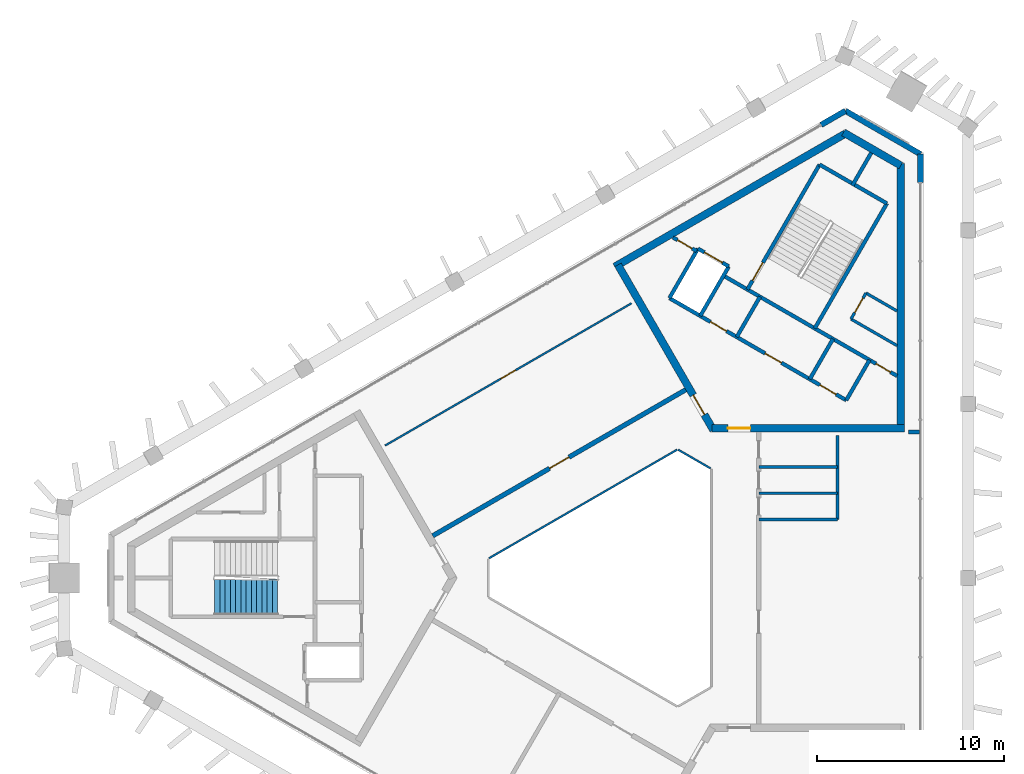
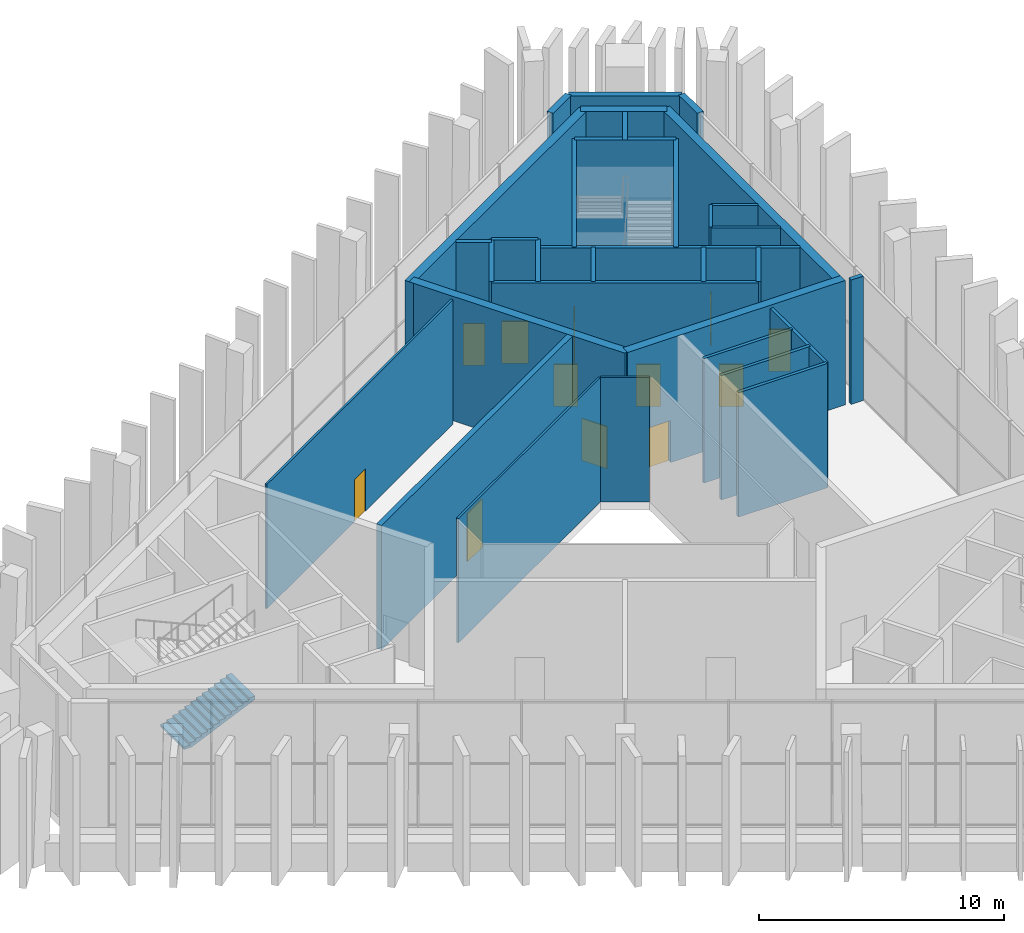
# One storey, part 10 of 13: 33 walls, 12 doors, 1 stair flight, 12 openings, 1 element without a shape of its own.
"""IFC4 building model written with IfcOpenShell, lengths in metres."""

from ifc_helpers import new_model, si_unit, direction, frame, frame_2d, origin, place, context, subcontext, project, spatial, polyline, rectangle, outline, extrude, material, layer, layer_set, type_object, element, fill, aggregate, save


model = new_model("IFC4")

# Units and contexts
model_context = context("Model", 3, precision=1e-05, world=origin(), true_north=direction((0.0, 1.0)))
body_context = subcontext(model_context, "Body", "Model", "MODEL_VIEW")
ifc_project = project(units=[si_unit("LENGTHUNIT", "METRE"), si_unit("AREAUNIT", "SQUARE_METRE"), si_unit("VOLUMEUNIT", "CUBIC_METRE"), si_unit("PLANEANGLEUNIT", "RADIAN"), si_unit("MASSUNIT", "GRAM", prefix="KILO")], contexts=[model_context])

# Site, building, storey
site_placement = place(None, origin())
site = spatial("IfcSite", under=ifc_project, at=site_placement, CompositionType="ELEMENT")
building_placement = place(site_placement, origin())
building = spatial("IfcBuilding", under=site, at=building_placement, Name="Jabali Bay Hotel Tower and Convention Centre", CompositionType="ELEMENT")
storey_placement = place(building_placement, frame((0.0, 0.0, 315.800048828125)))
storey = spatial("IfcBuildingStorey", under=building, at=storey_placement, Name="L77", CompositionType="ELEMENT", Elevation=315.800048828125)

# Walls
ifc_material_1 = material(Name="Fire-resistant glazing", Category="glass")
ifc_layer_1 = layer(ifc_material_1, 0.10009765625)
ifc_layer_set_1 = layer_set([ifc_layer_1], Name="Fire-resistant glazing")
wall_type_1 = type_object("IfcWallType", Name="Atrium glazed screen 100", PredefinedType="PARTITIONING", material=ifc_layer_set_1)
wall_1_placement = place(storey_placement, frame((79.530029296875, 85.84619140625, 0.0), z_axis=(0.0, 0.0, 1.0), x_axis=(-0.866041268327, 0.499972520799, 0.0)))
element("IfcWall", 1, at=wall_1_placement, inside=storey, type_object=wall_type_1, Name="Atrium screen 2 L77", PredefinedType="PARTITIONING", context=body_context, shape_type="SweptSolid", body=[
    extrude(rectangle(XDim=2.0, YDim=0.10009765625, at=frame_2d((1.0, 0.0))), origin(), (0.0, 0.0, 1.0), 6.199951171875),
])
wall_2_placement = place(storey_placement, frame((77.738037109375, 86.84619140625, 0.0), z_axis=(0.0, 0.0, 1.0), x_axis=(-0.866026658274, -0.499997827154, 0.0)))
element("IfcWall", 2, at=wall_2_placement, inside=storey, type_object=wall_type_1, Name="Atrium screen 3 L77", PredefinedType="PARTITIONING", context=body_context, shape_type="SweptSolid", body=[
    extrude(rectangle(XDim=11.58837890625, YDim=0.10009765625, at=frame_2d((5.794189453125, 0.0))), origin(), (0.0, 0.0, 1.0), 6.199951171875),
])
ifc_material_2 = material(Name="Concrete C40", Category="concrete")
ifc_layer_2 = layer(ifc_material_2, 0.199951171875)
ifc_layer_set_2 = layer_set([ifc_layer_2], Name="Concrete C40")
wall_type_2 = type_object("IfcWallType", Name="Core partition wall 200", PredefinedType="PARTITIONING", material=ifc_layer_set_2)
wall_3_placement = place(storey_placement, frame((87.090087890625, 100.9404296875, 0.0), z_axis=(0.0, 0.0, 1.0), x_axis=(0.499941815747, 0.866058993873, 0.0)))
element("IfcWall", 3, at=wall_3_placement, inside=storey, type_object=wall_type_2, Name="Core wall 1.4 L77", PredefinedType="PARTITIONING", context=body_context, shape_type="SweptSolid", body=[
    extrude(rectangle(XDim=2.023193359375, YDim=0.199951171875, at=frame_2d((1.01171875, 0.0))), origin(), (0.0, 0.0, 1.0), 6.199951171875),
])

# Wall, opening, door
wall_4_placement = place(storey_placement, frame((78.7802734375, 97.447509765625, 0.0), z_axis=(0.0, 0.0, 1.0), x_axis=(-0.866045896294, 0.499964504253, 0.0)))
wall_4 = element("IfcWall", 4, at=wall_4_placement, inside=storey, type_object=wall_type_2, Name="Core wall 1.11 L77", PredefinedType="PARTITIONING", context=body_context, shape_type="SweptSolid", body=[
    extrude(rectangle(XDim=1.455078125, YDim=0.199951171875, at=frame_2d((0.7275390625, 0.0))), origin(), (0.0, 0.0, 1.0), 6.199951171875),
])
opening_1_placement = place(wall_4_placement, frame((0.277587890625, 0.0, 0.0)))
opening_1 = element("IfcOpeningElement", 5, at=opening_1_placement, cuts=wall_4, Name="Opening D1724", PredefinedType="OPENING", context=body_context, shape_type="SweptSolid", body=[
    extrude(rectangle(XDim=0.89990234375, YDim=2.10009765625, at=frame_2d((0.449951171875, 1.050048828125))), frame((0.0, 0.1103515625, 0.0), z_axis=(0.0, -1.0, 0.0), x_axis=(1.0, 0.0, 0.0)), (0.0, 0.0, 1.0), 0.220947265625),
])
ifc_material_3 = material(Name="Fire-rated steel door", Category="steel")
door_type_1 = type_object("IfcDoorType", Name="Vestibule fire door 900 x 2100", OperationType="NOTDEFINED", PredefinedType="NOTDEFINED", material=ifc_material_3)
door_1_placement = place(opening_1_placement, origin())
door_1 = element("IfcDoor", 6, at=door_1_placement, inside=storey, type_object=door_type_1, Name="Vestibule fire door D1724", OperationType="SINGLE_SWING_LEFT", OverallHeight=2.10009765625, OverallWidth=0.89990234375, PredefinedType="NOTDEFINED", context=body_context, shape_type="SweptSolid", body=[
    extrude(rectangle(XDim=0.89990234375, YDim=2.10009765625, at=frame_2d((0.449951171875, 1.050048828125))), frame((0.0, 0.02490234375, 0.0), z_axis=(0.0, -1.0, 0.0), x_axis=(1.0, 0.0, 0.0)), (0.0, 0.0, 1.0), 0.050048828125),
])
fill(opening_1, door_1)

ifc_material_4 = material(Name="Fire-rated board partition")
ifc_layer_3 = layer(ifc_material_4, 0.14990234375)
ifc_layer_set_3 = layer_set([ifc_layer_3], Name="Fire-rated board partition")
wall_type_3 = type_object("IfcWallType", Name="Core room partition 150", PredefinedType="PARTITIONING", material=ifc_layer_set_3)
wall_5_placement = place(storey_placement, frame((87.02099609375, 93.821044921875, 0.0), z_axis=(0.0, 0.0, 1.0), x_axis=(0.499995408039, 0.866028054938, 0.0)))
wall_5 = element("IfcWall", 7, at=wall_5_placement, inside=storey, type_object=wall_type_3, Name="Core wall 1.1 L77", PredefinedType="PARTITIONING", context=body_context, shape_type="SweptSolid", body=[
    extrude(rectangle(XDim=1.60009765625, YDim=0.14990234375, at=frame_2d((0.800048828125, 0.0))), origin(), (0.0, 0.0, 1.0), 6.199951171875),
])
opening_2_placement = place(wall_5_placement, frame((0.387451171875, 0.0, 0.0)))
opening_2 = element("IfcOpeningElement", 8, at=opening_2_placement, cuts=wall_5, Name="Opening D1727", PredefinedType="OPENING", context=body_context, shape_type="SweptSolid", body=[
    extrude(rectangle(XDim=0.89990234375, YDim=2.10009765625, at=frame_2d((0.449951171875, 1.050048828125))), frame((0.0, 0.08544921875, 0.0), z_axis=(0.0, -1.0, 0.0), x_axis=(1.0, 0.0, 0.0)), (0.0, 0.0, 1.0), 0.1708984375),
])
door_type_2 = type_object("IfcDoorType", Name="Core room door 900 x 2100", OperationType="NOTDEFINED", PredefinedType="NOTDEFINED", material=ifc_material_3)
door_2_placement = place(opening_2_placement, origin())
door_2 = element("IfcDoor", 9, at=door_2_placement, inside=storey, type_object=door_type_2, Name="Core room door D1727", OperationType="SINGLE_SWING_LEFT", OverallHeight=2.10009765625, OverallWidth=0.89990234375, PredefinedType="NOTDEFINED", context=body_context, shape_type="SweptSolid", body=[
    extrude(rectangle(XDim=0.89990234375, YDim=2.10009765625, at=frame_2d((0.449951171875, 1.050048828125))), frame((0.0, 0.02490234375, 0.0), z_axis=(0.0, -1.0, 0.0), x_axis=(1.0, 0.0, 0.0)), (0.0, 0.0, 1.0), 0.050048828125),
])
fill(opening_2, door_2)

# Walls
wall_6_placement = place(storey_placement, frame((89.47998046875, 92.4013671875, 0.0), z_axis=(0.0, 0.0, 1.0), x_axis=(-0.866028081176, 0.499995362593, 0.0)))
element("IfcWall", 10, at=wall_6_placement, inside=storey, type_object=wall_type_3, Name="Core wall 1.13 L77", PredefinedType="PARTITIONING", context=body_context, shape_type="SweptSolid", body=[
    extrude(rectangle(XDim=2.83935546875, YDim=0.14990234375, at=frame_2d((1.419677734375, 0.0))), origin(), (0.0, 0.0, 1.0), 6.199951171875),
])
wall_7_placement = place(storey_placement, frame((89.47998046875, 94.2490234375, 0.0), z_axis=(0.0, 0.0, 1.0), x_axis=(-0.866030650962, 0.499990911512, 0.0)))
element("IfcWall", 11, at=wall_7_placement, inside=storey, type_object=wall_type_3, Name="Core wall 1.14 L77", PredefinedType="PARTITIONING", context=body_context, shape_type="SweptSolid", body=[
    extrude(rectangle(XDim=1.91552734375, YDim=0.14990234375, at=frame_2d((0.957763671875, 0.0))), origin(), (0.0, 0.0, 1.0), 6.199951171875),
])
ifc_layer_4 = layer(ifc_material_2, 0.199951171875)
ifc_layer_set_4 = layer_set([ifc_layer_4], Name="Concrete C40")
wall_type_4 = type_object("IfcWallType", Name="Core stair wall 200", PredefinedType="SOLIDWALL", material=ifc_layer_set_4)
for number, where, z_axis, x_axis, name in (
    (12, (86.769775390625, 89.48583984375, 0.0), (0.0, 0.0, 1.0), (0.499961042966, 0.86604789447, 0.0), "Core wall 1.0 L77"),
    (13, (84.8212890625, 90.61083984375, 0.0), (0.0, 0.0, 1.0), (0.499961042966, 0.86604789447, 0.0), "Core wall 1.2 L77"),
):
    element("IfcWall", number, at=place(storey_placement, frame(where, z_axis=z_axis, x_axis=x_axis)), inside=storey, type_object=wall_type_4, Name=name, PredefinedType="SOLIDWALL", context=body_context, shape_type="SweptSolid", body=[
        extrude(rectangle(XDim=2.480224609375, YDim=0.199951171875, at=frame_2d((1.240234375, 0.0))), origin(), (0.0, 0.0, 1.0), 6.199951171875),
    ])
wall_8_placement = place(storey_placement, frame((85.0869140625, 93.3212890625, 0.0), z_axis=(0.0, 0.0, 1.0), x_axis=(0.500019787375, 0.866013979237, 0.0)))
element("IfcWall", 14, at=wall_8_placement, inside=storey, type_object=wall_type_4, Name="Core wall 1.3 L77", PredefinedType="SOLIDWALL", context=body_context, shape_type="SweptSolid", body=[
    extrude(rectangle(XDim=7.699951171875, YDim=0.199951171875, at=frame_2d((3.85009765625, 0.0))), origin(), (0.0, 0.0, 1.0), 6.199951171875),
])
wall_9_placement = place(storey_placement, frame((80.924072265625, 92.86083984375, 0.0), z_axis=(0.0, 0.0, 1.0), x_axis=(0.499961042966, 0.86604789447, 0.0)))
element("IfcWall", 15, at=wall_9_placement, inside=storey, type_object=wall_type_4, Name="Core wall 1.5 L77", PredefinedType="SOLIDWALL", context=body_context, shape_type="SweptSolid", body=[
    extrude(rectangle(XDim=2.480224609375, YDim=0.199951171875, at=frame_2d((1.240234375, 0.0))), origin(), (0.0, 0.0, 1.0), 6.199951171875),
])

# Wall, opening, door
wall_10_placement = place(storey_placement, frame((81.492919921875, 95.396240234375, 0.0), z_axis=(0.0, 0.0, 1.0), x_axis=(0.500006057782, 0.866021906294, 0.0)))
wall_10 = element("IfcWall", 16, at=wall_10_placement, inside=storey, type_object=wall_type_4, Name="Core wall 1.6 L77", PredefinedType="SOLIDWALL", context=body_context, shape_type="SweptSolid", body=[
    extrude(rectangle(XDim=7.7001953125, YDim=0.199951171875, at=frame_2d((3.85009765625, 0.0))), origin(), (0.0, 0.0, 1.0), 6.199951171875),
])
opening_3_placement = place(wall_10_placement, frame((0.550048828125, 0.0, 0.0)))
opening_3 = element("IfcOpeningElement", 17, at=opening_3_placement, cuts=wall_10, Name="Opening D1726", PredefinedType="OPENING", context=body_context, shape_type="SweptSolid", body=[
    extrude(rectangle(XDim=1.10009765625, YDim=2.10009765625, at=frame_2d((0.550048828125, 1.050048828125))), frame((0.0, 0.1103515625, 0.0), z_axis=(0.0, -1.0, 0.0), x_axis=(1.0, 0.0, 0.0)), (0.0, 0.0, 1.0), 0.220947265625),
])
door_type_3 = type_object("IfcDoorType", Name="Stair fire door 1100 x 2100", OperationType="NOTDEFINED", PredefinedType="NOTDEFINED", material=ifc_material_3)
door_3_placement = place(opening_3_placement, origin())
door_3 = element("IfcDoor", 18, at=door_3_placement, inside=storey, type_object=door_type_3, Name="Stair fire door D1726", OperationType="SINGLE_SWING_RIGHT", OverallHeight=2.10009765625, OverallWidth=1.10009765625, PredefinedType="NOTDEFINED", context=body_context, shape_type="SweptSolid", body=[
    extrude(rectangle(XDim=1.10009765625, YDim=2.10009765625, at=frame_2d((0.550048828125, 1.050048828125))), frame((0.0, 0.02490234375, 0.0), z_axis=(0.0, -1.0, 0.0), x_axis=(1.0, 0.0, 0.0)), (0.0, 0.0, 1.0), 0.050048828125),
])
fill(opening_3, door_3)

# Walls
for number, where, z_axis, x_axis, name in (
    (19, (78.9755859375, 93.98583984375, 0.0), (0.0, 0.0, 1.0), (0.499944174705, 0.866057632134, 0.0), "Core wall 1.7 L77"),
    (20, (77.330078125, 94.93603515625, 0.0), (0.0, 0.0, 1.0), (0.500038867431, 0.8660029625, 0.0), "Core wall 1.8 L77"),
):
    element("IfcWall", number, at=place(storey_placement, frame(where, z_axis=z_axis, x_axis=x_axis)), inside=storey, type_object=wall_type_4, Name=name, PredefinedType="SOLIDWALL", context=body_context, shape_type="SweptSolid", body=[
        extrude(rectangle(XDim=3.050048828125, YDim=0.199951171875, at=frame_2d((1.52490234375, 0.0))), origin(), (0.0, 0.0, 1.0), 6.199951171875),
    ])

# Wall, openings, doors
wall_11_placement = place(storey_placement, frame((86.769775390625, 89.48583984375, 0.0), z_axis=(0.0, 0.0, 1.0), x_axis=(-0.86601811187, 0.500012629753, 0.0)))
wall_11 = element("IfcWall", 21, at=wall_11_placement, inside=storey, type_object=wall_type_4, Name="Core wall 1.9 L77", PredefinedType="SOLIDWALL", context=body_context, shape_type="SweptSolid", body=[
    extrude(rectangle(XDim=10.900146484375, YDim=0.199951171875, at=frame_2d((5.4501953125, 0.0))), origin(), (0.0, 0.0, 1.0), 6.199951171875),
])
opening_4_placement = place(wall_11_placement, frame((0.625, 0.0, 0.0)))
opening_4 = element("IfcOpeningElement", 22, at=opening_4_placement, cuts=wall_11, Name="Opening D1721", PredefinedType="OPENING", context=body_context, shape_type="SweptSolid", body=[
    extrude(rectangle(XDim=1.0, YDim=2.10009765625, at=frame_2d((0.5, 1.050048828125))), frame((0.0, 0.1103515625, 0.0), z_axis=(0.0, -1.0, 0.0), x_axis=(1.0, 0.0, 0.0)), (0.0, 0.0, 1.0), 0.220947265625),
])
opening_5_placement = place(wall_11_placement, frame((4.0, 0.0, 0.0)))
opening_5 = element("IfcOpeningElement", 23, at=opening_5_placement, cuts=wall_11, Name="Opening D1722", PredefinedType="OPENING", context=body_context, shape_type="SweptSolid", body=[
    extrude(rectangle(XDim=1.0, YDim=2.10009765625, at=frame_2d((0.5, 1.050048828125))), frame((0.0, 0.1103515625, 0.0), z_axis=(0.0, -1.0, 0.0), x_axis=(1.0, 0.0, 0.0)), (0.0, 0.0, 1.0), 0.220947265625),
])
opening_6_placement = place(wall_11_placement, frame((7.375, 0.0, 0.0)))
opening_6 = element("IfcOpeningElement", 24, at=opening_6_placement, cuts=wall_11, Name="Opening D1723", PredefinedType="OPENING", context=body_context, shape_type="SweptSolid", body=[
    extrude(rectangle(XDim=1.0, YDim=2.10009765625, at=frame_2d((0.5, 1.050048828125))), frame((0.0, 0.1103515625, 0.0), z_axis=(0.0, -1.0, 0.0), x_axis=(1.0, 0.0, 0.0)), (0.0, 0.0, 1.0), 0.220947265625),
])
door_type_4 = type_object("IfcDoorType", Name="Core room door 1000 x 2100", OperationType="NOTDEFINED", PredefinedType="NOTDEFINED", material=ifc_material_3)
door_4_placement = place(opening_4_placement, origin())
door_4 = element("IfcDoor", 25, at=door_4_placement, inside=storey, type_object=door_type_4, Name="Core room door D1721", OperationType="SINGLE_SWING_RIGHT", OverallHeight=2.10009765625, OverallWidth=1.0, PredefinedType="NOTDEFINED", context=body_context, shape_type="SweptSolid", body=[
    extrude(rectangle(XDim=1.0, YDim=2.10009765625, at=frame_2d((0.5, 1.050048828125))), frame((0.0, 0.02490234375, 0.0), z_axis=(0.0, -1.0, 0.0), x_axis=(1.0, 0.0, 0.0)), (0.0, 0.0, 1.0), 0.050048828125),
])
fill(opening_4, door_4)
door_5_placement = place(opening_5_placement, origin())
door_5 = element("IfcDoor", 26, at=door_5_placement, inside=storey, type_object=door_type_4, Name="Core room door D1722", OperationType="SINGLE_SWING_RIGHT", OverallHeight=2.10009765625, OverallWidth=1.0, PredefinedType="NOTDEFINED", context=body_context, shape_type="SweptSolid", body=[
    extrude(rectangle(XDim=1.0, YDim=2.10009765625, at=frame_2d((0.5, 1.050048828125))), frame((0.0, 0.02490234375, 0.0), z_axis=(0.0, -1.0, 0.0), x_axis=(1.0, 0.0, 0.0)), (0.0, 0.0, 1.0), 0.050048828125),
])
fill(opening_5, door_5)
door_6_placement = place(opening_6_placement, origin())
door_6 = element("IfcDoor", 27, at=door_6_placement, inside=storey, type_object=door_type_4, Name="Core room door D1723", OperationType="SINGLE_SWING_RIGHT", OverallHeight=2.10009765625, OverallWidth=1.0, PredefinedType="NOTDEFINED", context=body_context, shape_type="SweptSolid", body=[
    extrude(rectangle(XDim=1.0, YDim=2.10009765625, at=frame_2d((0.5, 1.050048828125))), frame((0.0, 0.02490234375, 0.0), z_axis=(0.0, -1.0, 0.0), x_axis=(1.0, 0.0, 0.0)), (0.0, 0.0, 1.0), 0.050048828125),
])
fill(opening_6, door_6)

# Wall, opening, door
wall_12_placement = place(storey_placement, frame((89.47998046875, 90.784912109375, 0.0), z_axis=(0.0, 0.0, 1.0), x_axis=(-0.866022544512, 0.500004952373, 0.0)))
wall_12 = element("IfcWall", 28, at=wall_12_placement, inside=storey, type_object=wall_type_4, Name="Core wall 1.10 L77", PredefinedType="SOLIDWALL", context=body_context, shape_type="SweptSolid", body=[
    extrude(rectangle(XDim=10.69775390625, YDim=0.199951171875, at=frame_2d((5.348876953125, 0.0))), origin(), (0.0, 0.0, 1.0), 6.199951171875),
])
opening_7_placement = place(wall_12_placement, frame((0.398681640625, 0.0, 0.0)))
opening_7 = element("IfcOpeningElement", 29, at=opening_7_placement, cuts=wall_12, Name="Opening D1725", PredefinedType="OPENING", context=body_context, shape_type="SweptSolid", body=[
    extrude(rectangle(XDim=0.89990234375, YDim=2.10009765625, at=frame_2d((0.449951171875, 1.050048828125))), frame((0.0, 0.1103515625, 0.0), z_axis=(0.0, -1.0, 0.0), x_axis=(1.0, 0.0, 0.0)), (0.0, 0.0, 1.0), 0.220947265625),
])
door_7_placement = place(opening_7_placement, origin())
door_7 = element("IfcDoor", 30, at=door_7_placement, inside=storey, type_object=door_type_1, Name="Vestibule fire door D1725", OperationType="SINGLE_SWING_LEFT", OverallHeight=2.10009765625, OverallWidth=0.89990234375, PredefinedType="NOTDEFINED", context=body_context, shape_type="SweptSolid", body=[
    extrude(rectangle(XDim=0.89990234375, YDim=2.10009765625, at=frame_2d((0.449951171875, 1.050048828125))), frame((0.0, 0.02490234375, 0.0), z_axis=(0.0, -1.0, 0.0), x_axis=(1.0, 0.0, 0.0)), (0.0, 0.0, 1.0), 0.050048828125),
])
fill(opening_7, door_7)

wall_13_placement = place(storey_placement, frame((80.50048828125, 96.62744140625, 0.0), z_axis=(0.0, 0.0, 1.0), x_axis=(-0.86601224135, 0.500022797313, 0.0)))
wall_13 = element("IfcWall", 31, at=wall_13_placement, inside=storey, type_object=wall_type_4, Name="Core wall 1.12 L77", PredefinedType="SOLIDWALL", context=body_context, shape_type="SweptSolid", body=[
    extrude(rectangle(XDim=1.89990234375, YDim=0.199951171875, at=frame_2d((0.949951171875, 0.0))), origin(), (0.0, 0.0, 1.0), 6.199951171875),
])
opening_8_placement = place(wall_13_placement, frame((0.39990234375, 0.0, 0.0)))
opening_8 = element("IfcOpeningElement", 32, at=opening_8_placement, cuts=wall_13, Name="Opening LD10-L77", PredefinedType="OPENING", context=body_context, shape_type="SweptSolid", body=[
    extrude(rectangle(XDim=1.10009765625, YDim=2.10009765625, at=frame_2d((0.550048828125, 1.050048828125))), frame((0.0, 0.1103515625, 0.0), z_axis=(0.0, -1.0, 0.0), x_axis=(1.0, 0.0, 0.0)), (0.0, 0.0, 1.0), 0.220947265625),
])
ifc_material_5 = material(Name="Stainless steel landing door", Category="steel")
door_type_5 = type_object("IfcDoorType", Name="Landing door 1100 x 2100", OperationType="NOTDEFINED", PredefinedType="NOTDEFINED", material=ifc_material_5)
door_8_placement = place(opening_8_placement, origin())
door_8 = element("IfcDoor", 33, at=door_8_placement, inside=storey, type_object=door_type_5, Name="Landing doors LD10-L77", OperationType="SLIDING_TO_RIGHT", OverallHeight=2.10009765625, OverallWidth=1.10009765625, PredefinedType="NOTDEFINED", context=body_context, shape_type="SweptSolid", body=[
    extrude(rectangle(XDim=1.10009765625, YDim=2.10009765625, at=frame_2d((0.550048828125, 1.050048828125))), frame((0.0, 0.02490234375, 0.0), z_axis=(0.0, -1.0, 0.0), x_axis=(1.0, 0.0, 0.0)), (0.0, 0.0, 1.0), 0.050048828125),
])
fill(opening_8, door_8)

# Wall
wall_14_placement = place(storey_placement, frame((88.93701171875, 99.989501953125, 0.0), z_axis=(0.0, 0.0, 1.0), x_axis=(-0.866004344652, 0.500036473714, 0.0)))
element("IfcWall", 34, at=wall_14_placement, inside=storey, type_object=wall_type_4, Name="Core wall 1.15 L77", PredefinedType="SOLIDWALL", context=body_context, shape_type="SweptSolid", body=[
    extrude(rectangle(XDim=4.150146484375, YDim=0.199951171875, at=frame_2d((2.0751953125, 0.0))), origin(), (0.0, 0.0, 1.0), 6.199951171875),
])

# Wall, opening, door
ifc_material_6 = material(Name="Concrete C60", Category="concrete")
ifc_layer_5 = layer(ifc_material_6, 0.39990234375)
ifc_layer_set_5 = layer_set([ifc_layer_5], Name="Concrete C60")
wall_type_5 = type_object("IfcWallType", Name="Core wall 400", PredefinedType="SHEAR", material=ifc_layer_set_5)
wall_15_placement = place(storey_placement, frame((79.615478515625, 87.994140625, 0.0), z_axis=(0.0, 0.0, 1.0), x_axis=(1.0, 0.0, 0.0)))
wall_15 = element("IfcWall", 35, at=wall_15_placement, inside=storey, type_object=wall_type_5, Name="Core wall 2.1 L77", PredefinedType="SHEAR", context=body_context, shape_type="SweptSolid", body=[
    extrude(rectangle(XDim=10.264404296875, YDim=0.39990234375, at=frame_2d((5.13232421875, 0.0))), origin(), (0.0, 0.0, 1.0), 6.199951171875),
])
opening_9_placement = place(wall_15_placement, frame((0.83447265625, 0.0, 0.0)))
opening_9 = element("IfcOpeningElement", 36, at=opening_9_placement, cuts=wall_15, Name="Opening D1719", PredefinedType="OPENING", context=body_context, shape_type="SweptSolid", body=[
    extrude(rectangle(XDim=1.199951171875, YDim=2.10009765625, at=frame_2d((0.60009765625, 1.050048828125))), frame((0.0, 0.21044921875, 0.0), z_axis=(0.0, -1.0, 0.0), x_axis=(1.0, 0.0, 0.0)), (0.0, 0.0, 1.0), 0.4208984375),
])
door_type_6 = type_object("IfcDoorType", Name="Corridor end fire door 1200 x 2100", OperationType="NOTDEFINED", PredefinedType="NOTDEFINED", material=ifc_material_3)
door_9_placement = place(opening_9_placement, origin())
door_9 = element("IfcDoor", 37, at=door_9_placement, inside=storey, type_object=door_type_6, Name="Corridor end fire door D1719", OperationType="SINGLE_SWING_RIGHT", OverallHeight=2.10009765625, OverallWidth=1.199951171875, PredefinedType="NOTDEFINED", context=body_context, shape_type="SweptSolid", body=[
    extrude(rectangle(XDim=1.199951171875, YDim=2.10009765625, at=frame_2d((0.60009765625, 1.050048828125))), frame((0.0, 0.02490234375, 0.0), z_axis=(0.0, -1.0, 0.0), x_axis=(1.0, 0.0, 0.0)), (0.0, 0.0, 1.0), 0.050048828125),
])
fill(opening_9, door_9)

# Walls
wall_16_placement = place(storey_placement, frame((89.679931640625, 87.994140625, 0.0), z_axis=(0.0, 0.0, 1.0), x_axis=(0.0, 1.0, 0.0)))
element("IfcWall", 38, at=wall_16_placement, inside=storey, type_object=wall_type_5, Name="Core wall 2.2 L77", PredefinedType="SHEAR", context=body_context, shape_type="SweptSolid", body=[
    extrude(rectangle(XDim=14.133544921875, YDim=0.39990234375, at=frame_2d((7.06689453125, 0.0))), origin(), (0.0, 0.0, 1.0), 6.199951171875),
])
wall_17_placement = place(storey_placement, frame((89.679931640625, 102.01220703125, 0.0), z_axis=(0.0, 0.0, 1.0), x_axis=(-0.866025485263, 0.499999858875, 0.0)))
element("IfcWall", 39, at=wall_17_placement, inside=storey, type_object=wall_type_5, Name="Core wall 2.3 L77", PredefinedType="SHEAR", context=body_context, shape_type="SweptSolid", body=[
    extrude(rectangle(XDim=3.52978515625, YDim=0.39990234375, at=frame_2d((1.764892578125, 0.0))), origin(), (0.0, 0.0, 1.0), 6.199951171875),
])
wall_18_placement = place(storey_placement, frame((86.72314453125, 103.71923828125, 0.0), z_axis=(0.0, 0.0, 1.0), x_axis=(-0.866030317223, -0.499991489579, 0.0)))
element("IfcWall", 40, at=wall_18_placement, inside=storey, type_object=wall_type_5, Name="Core wall 2.4 L77", PredefinedType="SHEAR", context=body_context, shape_type="SweptSolid", body=[
    extrude(rectangle(XDim=14.218017578125, YDim=0.39990234375, at=frame_2d((7.10888671875, 0.0))), origin(), (0.0, 0.0, 1.0), 6.199951171875),
])

# Wall, opening, door
wall_19_placement = place(storey_placement, frame((74.583251953125, 96.71044921875, 0.0), z_axis=(0.0, 0.0, 1.0), x_axis=(0.499987488796, -0.866032627011, 0.0)))
wall_19 = element("IfcWall", 41, at=wall_19_placement, inside=storey, type_object=wall_type_5, Name="Core wall 2.5 L77", PredefinedType="SHEAR", context=body_context, shape_type="SweptSolid", body=[
    extrude(rectangle(XDim=10.179931640625, YDim=0.39990234375, at=frame_2d((5.08984375, 0.0))), origin(), (0.0, 0.0, 1.0), 6.199951171875),
])
opening_10_placement = place(wall_19_placement, frame((8.030029296875, 0.0, 0.0)))
opening_10 = element("IfcOpeningElement", 42, at=opening_10_placement, cuts=wall_19, Name="Opening D1720", PredefinedType="OPENING", context=body_context, shape_type="SweptSolid", body=[
    extrude(rectangle(XDim=1.199951171875, YDim=2.10009765625, at=frame_2d((0.60009765625, 1.050048828125))), frame((0.0, 0.21044921875, 0.0), z_axis=(0.0, -1.0, 0.0), x_axis=(1.0, 0.0, 0.0)), (0.0, 0.0, 1.0), 0.4208984375),
])
door_10_placement = place(opening_10_placement, origin())
door_10 = element("IfcDoor", 43, at=door_10_placement, inside=storey, type_object=door_type_6, Name="Corridor end fire door D1720", OperationType="SINGLE_SWING_LEFT", OverallHeight=2.10009765625, OverallWidth=1.199951171875, PredefinedType="NOTDEFINED", context=body_context, shape_type="SweptSolid", body=[
    extrude(rectangle(XDim=1.199951171875, YDim=2.10009765625, at=frame_2d((0.60009765625, 1.050048828125))), frame((0.0, 0.02490234375, 0.0), z_axis=(0.0, -1.0, 0.0), x_axis=(1.0, 0.0, 0.0)), (0.0, 0.0, 1.0), 0.050048828125),
])
fill(opening_10, door_10)

ifc_layer_6 = layer(ifc_material_6, 0.25)
ifc_layer_set_6 = layer_set([ifc_layer_6], Name="Concrete C60")
wall_type_6 = type_object("IfcWallType", Name="Corridor wall 250", PredefinedType="SHEAR", material=ifc_layer_set_6)
wall_20_placement = place(storey_placement, frame((78.199951171875, 90.0458984375, 0.0), z_axis=(0.0, 0.0, 1.0), x_axis=(-0.866026492143, -0.499998114903, 0.0)))
wall_20 = element("IfcWall", 44, at=wall_20_placement, inside=storey, type_object=wall_type_6, Name="Corridor wall 2 L77", PredefinedType="SHEAR", context=body_context, shape_type="SweptSolid", body=[
    extrude(rectangle(XDim=15.58837890625, YDim=0.25, at=frame_2d((7.794189453125, 0.0))), origin(), (0.0, 0.0, 1.0), 6.199951171875),
])
opening_11_placement = place(wall_20_placement, frame((7.194091796875, 0.0, 0.0)))
opening_11 = element("IfcOpeningElement", 45, at=opening_11_placement, cuts=wall_20, Name="Opening 7705", PredefinedType="OPENING", context=body_context, shape_type="SweptSolid", body=[
    extrude(rectangle(XDim=1.199951171875, YDim=2.39990234375, at=frame_2d((0.60009765625, 1.199951171875))), frame((0.0, 0.135498046875, 0.0), z_axis=(0.0, -1.0, 0.0), x_axis=(1.0, 0.0, 0.0)), (0.0, 0.0, 1.0), 0.27099609375),
])
ifc_material_7 = material(Name="Timber", Category="wood")
door_type_7 = type_object("IfcDoorType", Name="Public room door 1200 x 2400", OperationType="NOTDEFINED", PredefinedType="NOTDEFINED", material=ifc_material_7)
door_11_placement = place(opening_11_placement, origin())
door_11 = element("IfcDoor", 46, at=door_11_placement, inside=storey, type_object=door_type_7, Name="Door 7705", OperationType="SINGLE_SWING_RIGHT", OverallHeight=2.39990234375, OverallWidth=1.199951171875, PredefinedType="NOTDEFINED", context=body_context, shape_type="SweptSolid", body=[
    extrude(rectangle(XDim=1.199951171875, YDim=2.39990234375, at=frame_2d((0.60009765625, 1.199951171875))), frame((0.0, 0.02490234375, 0.0), z_axis=(0.0, -1.0, 0.0), x_axis=(1.0, 0.0, 0.0)), (0.0, 0.0, 1.0), 0.050048828125),
])
fill(opening_11, door_11)

# Walls
ifc_layer_7 = layer(ifc_material_2, 0.300048828125)
ifc_layer_set_7 = layer_set([ifc_layer_7], Name="Concrete C40")
wall_type_7 = type_object("IfcWallType", Name="External wall 300", PredefinedType="SOLIDWALL", material=ifc_layer_set_7)
wall_21_placement = place(storey_placement, frame((86.72314453125, 104.931640625, 0.0), z_axis=(0.0, 0.0, 1.0), x_axis=(0.866036202628, -0.499981295388, 0.0)))
element("IfcWall", 47, at=wall_21_placement, inside=storey, type_object=wall_type_7, Name="External wall north-east chamfer L77", PredefinedType="SOLIDWALL", context=body_context, shape_type="SweptSolid", body=[
    extrude(rectangle(XDim=4.626708984375, YDim=0.300048828125, at=frame_2d((2.3134765625, 0.0))), origin(), (0.0, 0.0, 1.0), 6.199951171875),
])
for number, where, z_axis, x_axis, name in (
    (48, (90.72998046875, 102.618408203125, 0.0), (0.0, 0.0, 1.0), (0.0, -1.0, 0.0), "External wall east face L77"),
    (49, (85.424072265625, 104.181640625, 0.0), (0.0, 0.0, 1.0), (0.866031096941, 0.499990139034, 0.0), "External wall north-west face L77"),
):
    element("IfcWall", number, at=place(storey_placement, frame(where, z_axis=z_axis, x_axis=x_axis)), inside=storey, type_object=wall_type_7, Name=name, PredefinedType="SOLIDWALL", context=body_context, shape_type="SweptSolid", body=[
        extrude(rectangle(XDim=1.5, YDim=0.300048828125, at=frame_2d((0.75, 0.0))), origin(), (0.0, 0.0, 1.0), 6.199951171875),
    ])

# Wall, opening, door
ifc_material_8 = material(Name="Plasterboard on steel stud", Category="steel")
ifc_layer_8 = layer(ifc_material_8, 0.10009765625)
ifc_layer_set_8 = layer_set([ifc_layer_8], Name="Plasterboard on steel stud")
wall_type_8 = type_object("IfcWallType", Name="Partition 100 unit", PredefinedType="PARTITIONING", material=ifc_layer_set_8)
wall_22_placement = place(storey_placement, frame((75.305908203125, 94.66064453125, 0.0), z_axis=(0.0, 0.0, 1.0), x_axis=(-0.866024999478, -0.500000700278, 0.0)))
wall_22 = element("IfcWall", 50, at=wall_22_placement, inside=storey, type_object=wall_type_8, Name="Partition P02 L77 007", PredefinedType="PARTITIONING", context=body_context, shape_type="SweptSolid", body=[
    extrude(rectangle(XDim=15.1904296875, YDim=0.10009765625, at=frame_2d((7.59521484375, 0.0))), origin(), (0.0, 0.0, 1.0), 6.199951171875),
])
opening_12_placement = place(wall_22_placement, frame((7.14501953125, 0.0, 0.0)))
opening_12 = element("IfcOpeningElement", 51, at=opening_12_placement, cuts=wall_22, Name="Opening 7706", PredefinedType="OPENING", context=body_context, shape_type="SweptSolid", body=[
    extrude(rectangle(XDim=0.89990234375, YDim=2.10009765625, at=frame_2d((0.449951171875, 1.050048828125))), frame((0.0, 0.060546875, 0.0), z_axis=(0.0, -1.0, 0.0), x_axis=(1.0, 0.0, 0.0)), (0.0, 0.0, 1.0), 0.12109375),
])
door_type_8 = type_object("IfcDoorType", Name="Internal door 900 x 2100", OperationType="NOTDEFINED", PredefinedType="NOTDEFINED", material=ifc_material_7)
door_12_placement = place(opening_12_placement, origin())
door_12 = element("IfcDoor", 52, at=door_12_placement, inside=storey, type_object=door_type_8, Name="Door 7706", OperationType="SINGLE_SWING_LEFT", OverallHeight=2.10009765625, OverallWidth=0.89990234375, PredefinedType="NOTDEFINED", context=body_context, shape_type="SweptSolid", body=[
    extrude(rectangle(XDim=0.89990234375, YDim=2.10009765625, at=frame_2d((0.449951171875, 1.050048828125))), frame((0.0, 0.02490234375, 0.0), z_axis=(0.0, -1.0, 0.0), x_axis=(1.0, 0.0, 0.0)), (0.0, 0.0, 1.0), 0.050048828125),
])
fill(opening_12, door_12)

# Walls
ifc_layer_9 = layer(ifc_material_8, 0.14990234375)
ifc_layer_set_9 = layer_set([ifc_layer_9], Name="Plasterboard on steel stud")
wall_type_9 = type_object("IfcWallType", Name="Partition 150 wet", PredefinedType="PARTITIONING", material=ifc_layer_set_9)
wall_23_placement = place(storey_placement, frame((86.300048828125, 87.59521484375, 0.0), z_axis=(0.0, 0.0, 1.0), x_axis=(0.0, -1.0, 0.0)))
element("IfcWall", 53, at=wall_23_placement, inside=storey, type_object=wall_type_9, Name="Partition P03 L77 001", PredefinedType="PARTITIONING", context=body_context, shape_type="SweptSolid", body=[
    extrude(rectangle(XDim=4.4775390625, YDim=0.14990234375, at=frame_2d((2.23876953125, 0.0))), origin(), (0.0, 0.0, 1.0), 6.199951171875),
])
for number, where, z_axis, x_axis, name in (
    (54, (86.300048828125, 83.11767578125, 0.0), (0.0, 0.0, 1.0), (-1.0, 0.0, 0.0), "Partition P03 L77 002"),
    (55, (86.300048828125, 84.520751953125, 0.0), (0.0, 0.0, 1.0), (-1.0, 0.0, 0.0), "Partition P03 L77 005"),
    (56, (86.300048828125, 85.923583984375, 0.0), (0.0, 0.0, 1.0), (-1.0, 0.0, 0.0), "Partition P03 L77 006"),
):
    element("IfcWall", number, at=place(storey_placement, frame(where, z_axis=z_axis, x_axis=x_axis)), inside=storey, type_object=wall_type_9, Name=name, PredefinedType="PARTITIONING", context=body_context, shape_type="SweptSolid", body=[
        extrude(rectangle(XDim=4.199951171875, YDim=0.14990234375, at=frame_2d((2.10009765625, 0.0))), origin(), (0.0, 0.0, 1.0), 6.199951171875),
    ])
ifc_layer_10 = layer(ifc_material_8, 0.199951171875)
ifc_layer_set_10 = layer_set([ifc_layer_10], Name="Plasterboard on steel stud")
wall_type_10 = type_object("IfcWallType", Name="Partition 200 party", PredefinedType="PARTITIONING", material=ifc_layer_set_10)
wall_24_placement = place(storey_placement, frame((90.676025390625, 87.794189453125, 0.0), z_axis=(0.0, 0.0, 1.0), x_axis=(-1.0, 0.0, 0.0)))
element("IfcWall", 57, at=wall_24_placement, inside=storey, type_object=wall_type_10, Name="Partition P01 L77 003", PredefinedType="PARTITIONING", context=body_context, shape_type="SweptSolid", body=[
    extrude(rectangle(XDim=0.575927734375, YDim=0.199951171875, at=frame_2d((0.2880859375, 0.0))), origin(), (0.0, 0.0, 1.0), 6.199951171875),
])

# Stair, stair flight
stair_type = type_object("IfcStairType", Name="Exit stair 1900", PredefinedType="HALF_TURN_STAIR", material=ifc_material_2)
stair_placement = place(storey_placement, origin())
stair = element("IfcStair", 58, at=stair_placement, inside=storey, type_object=stair_type, Name="L77 Exit Stair 1", PredefinedType="HALF_TURN_STAIR")
stair_flight_type = type_object("IfcStairFlightType", Name="Stair flight concrete 150", PredefinedType="STRAIGHT", material=ifc_material_2)
stair_flight_placement = place(storey_placement, frame((53.06005859375, 78.97509765625, 1.625), z_axis=(0.0, 0.0, 1.0), x_axis=(1.0, 0.0, 0.0)))
stair_flight = element("IfcStairFlight", 59, at=stair_flight_placement, type_object=stair_flight_type, Name="ST1 flight 2", NumberOfRisers=13, NumberOfTreads=12, PredefinedType="STRAIGHT", RiserHeight=0.125, TreadLength=0.28, context=body_context, shape_type="SweptSolid", body=[
    extrude(outline(polyline([(0.0, 0.0), (0.0, 0.125), (0.280029296875, 0.125), (0.280029296875, 0.25), (0.56005859375, 0.25), (0.56005859375, 0.375), (0.840087890625, 0.375), (0.840087890625, 0.5), (1.1201171875, 0.5), (1.1201171875, 0.625), (1.39990234375, 0.625), (1.39990234375, 0.75), (1.679931640625, 0.75), (1.679931640625, 0.875), (1.9599609375, 0.875), (1.9599609375, 1.0), (2.239990234375, 1.0), (2.239990234375, 1.125), (2.52001953125, 1.125), (2.52001953125, 1.25), (2.800048828125, 1.25), (2.800048828125, 1.375), (3.080078125, 1.375), (3.080078125, 1.5), (3.360107421875, 1.5), (3.360107421875, 1.625), (3.360107421875, 1.3359375), (0.36767578125, 0.0), (0.0, 0.0)])), frame((0.0, 0.949951171875, 0.0), z_axis=(0.0, -1.0, 0.0), x_axis=(1.0, 0.0, 0.0)), (0.0, 0.0, 1.0), 1.89990234375),
])
aggregate(stair, [stair_flight])

save(model, "model.ifc")
